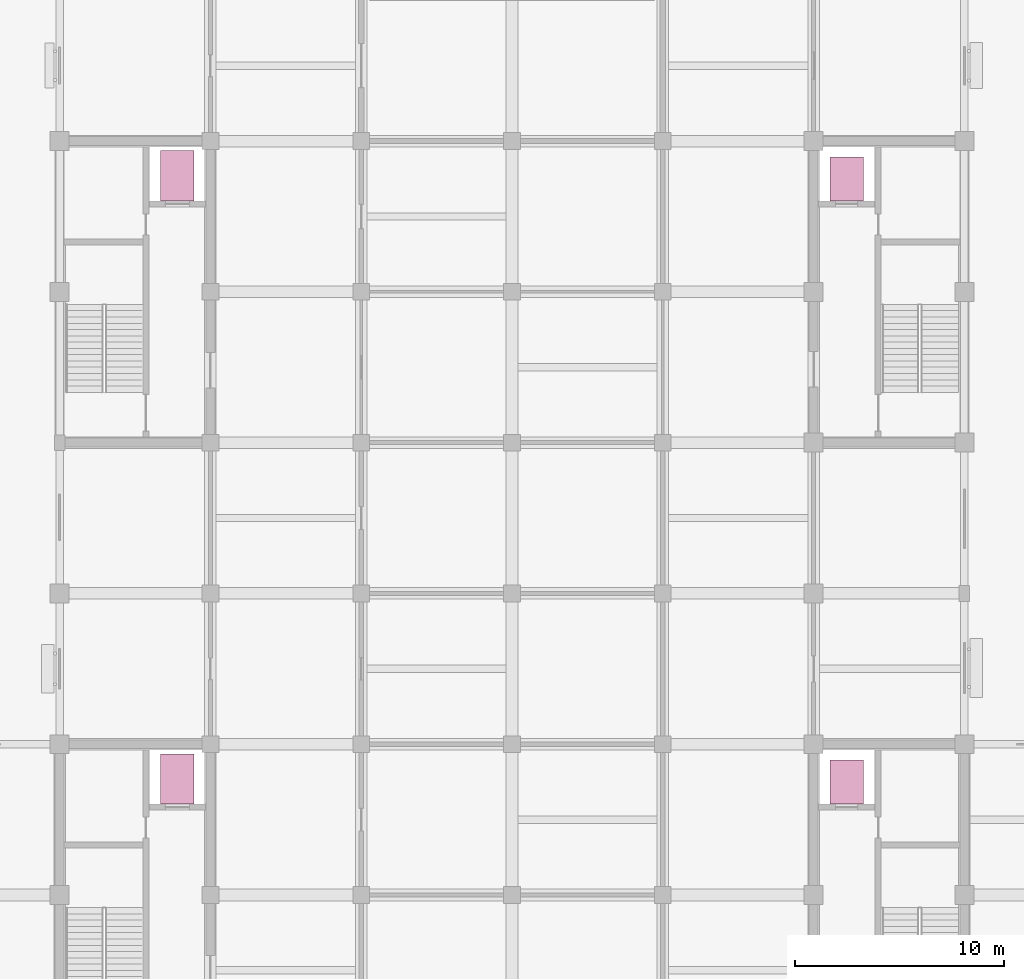
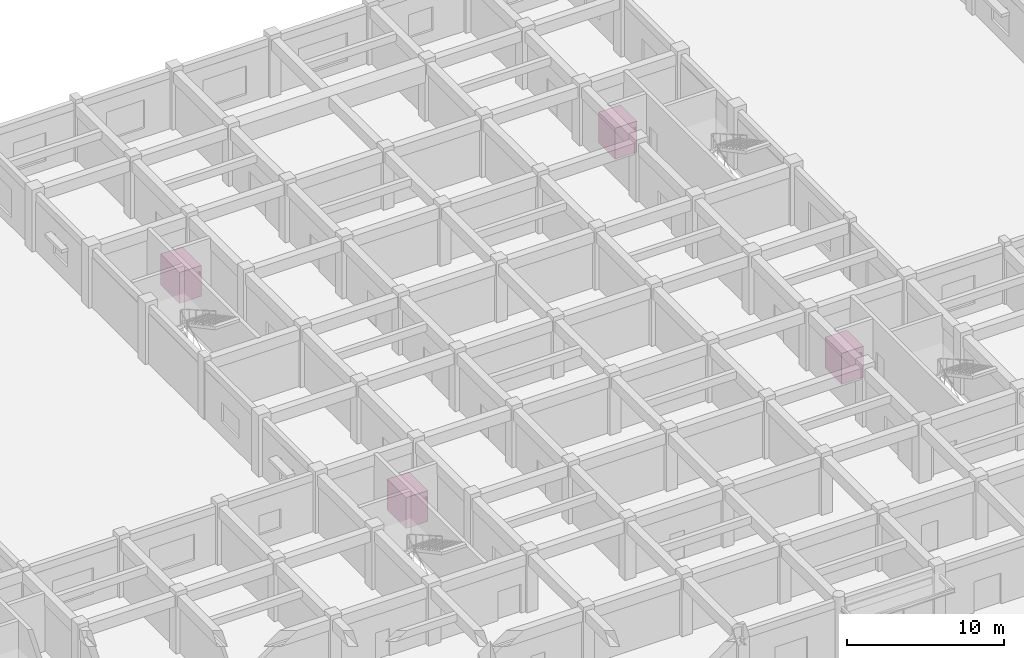
# One storey, part 37 of 37: 4 transport elements.
"""IFC4 building model written with IfcOpenShell, lengths in metres."""

from ifc_helpers import new_model, si_unit, direction, frame, origin, origin_2d, place, context, subcontext, project, spatial, rectangle, extrude, material, type_object, element, save


model = new_model("IFC4")

# Units and contexts
model_context = context("Model", 3, precision=1e-05, world=origin(), true_north=direction((0.0, 1.0)))
body_context = subcontext(model_context, "Body", "Model", "MODEL_VIEW")
ifc_project = project(units=[si_unit("LENGTHUNIT", "METRE"), si_unit("AREAUNIT", "SQUARE_METRE"), si_unit("VOLUMEUNIT", "CUBIC_METRE"), si_unit("PLANEANGLEUNIT", "RADIAN"), si_unit("MASSUNIT", "GRAM", prefix="KILO")], contexts=[model_context])

# Site, building, storey
site_placement = place(None, origin())
site = spatial("IfcSite", under=ifc_project, at=site_placement, CompositionType="ELEMENT")
building_placement = place(site_placement, origin())
building = spatial("IfcBuilding", under=site, at=building_placement, Name="Cendaluz Park School", CompositionType="ELEMENT")
storey_placement = place(building_placement, origin())
storey = spatial("IfcBuildingStorey", under=building, at=storey_placement, Name="L00", CompositionType="ELEMENT", Elevation=0.0)

# Transport elements
ifc_material_1 = material(Name="Stainless Steel 316L", Category="steel")
transport_element_type_1 = type_object("IfcTransportElementType", Name="LF-FF01", PredefinedType="ELEVATOR", material=ifc_material_1)
for number, where, z_axis, x_axis, name in (
    (1, (70.419921875, 27.139892578125, 0.0), (0.0, 0.0, 1.0), (1.0, 0.0, 0.0), "LF-FFL-01"),
    (2, (70.419921875, 55.93994140625, 0.0), (0.0, 0.0, 1.0), (1.0, 0.0, 0.0), "LF-FFL-02"),
):
    element("IfcTransportElement", number, at=place(storey_placement, frame(where, z_axis=z_axis, x_axis=x_axis)), inside=storey, type_object=transport_element_type_1, Name=name, PredefinedType="ELEVATOR", context=body_context, shape_type="SweptSolid", body=[
        extrude(rectangle(XDim=1.60009765625, YDim=2.39990234375, at=origin_2d()), origin(), (0.0, 0.0, 1.0), 2.39990234375),
    ])
ifc_material_2 = material(Name="Architectural Bronze")
transport_element_type_2 = type_object("IfcTransportElementType", Name="LF-PS01", PredefinedType="ELEVATOR", material=ifc_material_2)
for number, where, z_axis, x_axis, name in (
    (3, (102.3798828125, 26.989990234375, 0.0), (0.0, 0.0, 1.0), (1.0, 0.0, 0.0), "LF-PL-01"),
    (4, (102.3798828125, 55.7900390625, 0.0), (0.0, 0.0, 1.0), (1.0, 0.0, 0.0), "LF-PL-02"),
):
    element("IfcTransportElement", number, at=place(storey_placement, frame(where, z_axis=z_axis, x_axis=x_axis)), inside=storey, type_object=transport_element_type_2, Name=name, PredefinedType="ELEVATOR", context=body_context, shape_type="SweptSolid", body=[
        extrude(rectangle(XDim=1.60009765625, YDim=2.10009765625, at=origin_2d()), origin(), (0.0, 0.0, 1.0), 2.39990234375),
    ])

save(model, "model.ifc")
